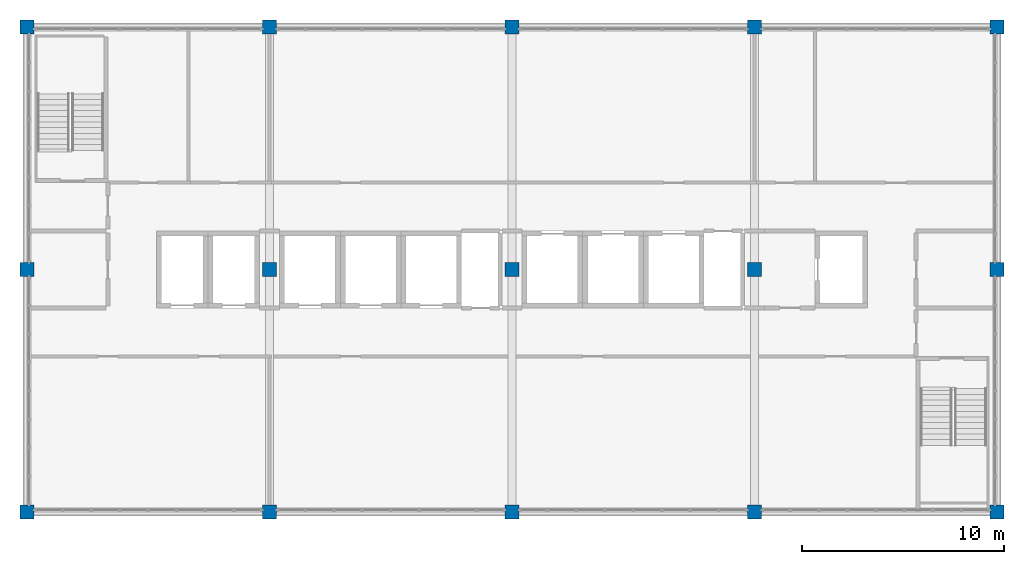
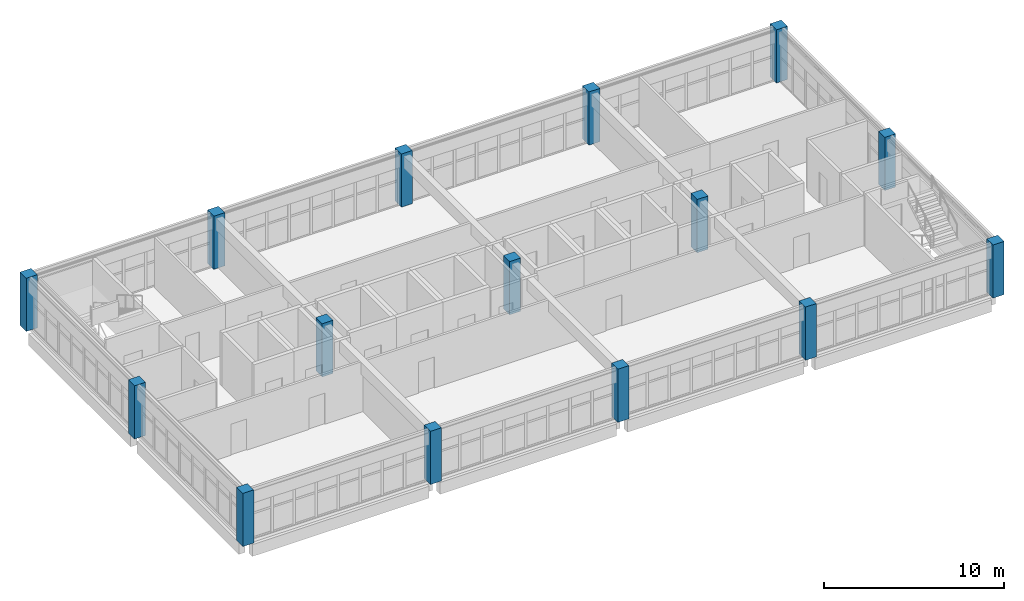
# One storey, part 1 of 16: 15 columns.
"""IFC4 building model written with IfcOpenShell, lengths in metres."""

import ifcopenshell
import ifcopenshell.guid

model = None  # the IFC model being written
_history = None  # IfcOwnerHistory: only IFC2X3 demands one
_inside = {}  # id of a spatial element -> (the spatial element, [elements in it])
_under = {}  # id of a project, library or spatial element -> (it, [spatial elements below it])
_declared = {}  # id of a project -> (the project, [libraries it declares])
_typed = {}  # id of a type object -> (the type object, [elements of that type])
_made_of = {}  # id of a material, layer set ... -> (it, [elements and type objects made of it])


def new_model(schema):
    """Start an empty IFC model of exactly this schema.

    Asked for "IFC4X3", IfcOpenShell would pick the latest addendum, in which some entities
    have other attributes; the version numbers below select the first issue.
    IFC2X3 requires an IfcOwnerHistory on every rooted entity: one is made here for all.
    """
    global model, _history
    if schema == "IFC4X3":
        model = ifcopenshell.file(schema_version=(4, 3, 0, 0))
    else:
        model = ifcopenshell.file(schema=schema)
    _inside.clear()
    _under.clear()
    _declared.clear()
    _typed.clear()
    _made_of.clear()
    _history = None
    if model.schema == "IFC2X3":
        org = make("IfcOrganization", Name="unknown")
        user = make(
            "IfcPersonAndOrganization",
            ThePerson=make("IfcPerson", FamilyName="unknown"),
            TheOrganization=org,
        )
        app = make(
            "IfcApplication",
            ApplicationDeveloper=org,
            Version="unknown",
            ApplicationFullName="unknown",
            ApplicationIdentifier="unknown",
        )
        _history = make(
            "IfcOwnerHistory",
            OwningUser=user,
            OwningApplication=app,
            ChangeAction="ADDED",
            CreationDate=0,
        )
    return model


def make(cls, **values):
    """One entity of the class cls with the attributes given. An attribute that is None is left unset."""
    return model.create_entity(
        cls, **{name: value for name, value in values.items() if value is not None}
    )


def rooted(cls, **values):
    """An entity with a GlobalId (a new one), such as an element, a storey or a relation."""
    return make(cls, GlobalId=ifcopenshell.guid.new(), OwnerHistory=_history, **values)


def si_unit(unit_type, name, prefix=None):
    """IfcSIUnit, for example si_unit("LENGTHUNIT", "METRE", prefix="MILLI")."""
    return make("IfcSIUnit", UnitType=unit_type, Prefix=prefix, Name=name)


def assignment(units):
    """IfcUnitAssignment: the units of a project."""
    return None if units is None else make("IfcUnitAssignment", Units=units)


def point(xyz):
    """IfcCartesianPoint."""
    return None if xyz is None else make("IfcCartesianPoint", Coordinates=xyz)


def direction(xyz):
    """IfcDirection."""
    return None if xyz is None else make("IfcDirection", DirectionRatios=xyz)


def frame(location, z_axis=None, x_axis=None):
    """IfcAxis2Placement3D, a coordinate frame: its origin and axes. An axis left out is left unset."""
    return make(
        "IfcAxis2Placement3D",
        Location=point(location),
        Axis=direction(z_axis),
        RefDirection=direction(x_axis),
    )


def frame_2d(location, x_axis=None):
    """IfcAxis2Placement2D, a coordinate frame in the plane: its origin and x axis."""
    return make(
        "IfcAxis2Placement2D", Location=point(location), RefDirection=direction(x_axis)
    )


def origin():
    """The frame at (0, 0, 0) with its axes left unset."""
    return frame((0.0, 0.0, 0.0))


def origin_2d():
    """The frame at (0, 0) in the plane with its x axis left unset."""
    return frame_2d((0.0, 0.0))


def place(relative_to, where):
    """IfcLocalPlacement: puts the frame where relative to a parent placement (None: the world)."""
    return make(
        "IfcLocalPlacement", PlacementRelTo=relative_to, RelativePlacement=where
    )


def context(
    kind, dimensions, precision=None, world=None, true_north=None, identifier=None
):
    """IfcGeometricRepresentationContext, for example the 3D "Model" context."""
    return make(
        "IfcGeometricRepresentationContext",
        ContextIdentifier=identifier,
        ContextType=kind,
        CoordinateSpaceDimension=dimensions,
        Precision=precision,
        WorldCoordinateSystem=world,
        TrueNorth=true_north,
    )


def subcontext(parent, identifier, kind, view, scale=None):
    """IfcGeometricRepresentationSubContext, for example "Body" below "Model"."""
    return make(
        "IfcGeometricRepresentationSubContext",
        ContextIdentifier=identifier,
        ContextType=kind,
        ParentContext=parent,
        TargetScale=scale,
        TargetView=view,
    )


def project(units=None, contexts=None):
    """IfcProject with its units and contexts."""
    return rooted(
        "IfcProject",
        Name="project",
        RepresentationContexts=contexts,
        UnitsInContext=assignment(units),
    )


def spatial(cls, under=None, at=None, **own):
    """A site, building, storey or space (cls), placed at a placement, below another one or the project."""
    s = rooted(cls, ObjectPlacement=at, **own)
    if under is not None:
        _under.setdefault(under.id(), (under, []))[1].append(s)
    return s


def profile(cls, at=None, kind="AREA", **sizes):
    """A parametric profile (cls). Its sizes go by their IFC names, for example OverallWidth=200.0."""
    return make(cls, ProfileType=kind, Position=at, **sizes)


def rectangle(**sizes):
    """IfcRectangleProfileDef."""
    return profile("IfcRectangleProfileDef", **sizes)


def extrude(swept, where, along, depth):
    """IfcExtrudedAreaSolid: the profile swept, set in the frame where, extruded along a direction by depth."""
    return make(
        "IfcExtrudedAreaSolid",
        SweptArea=swept,
        Position=where,
        ExtrudedDirection=direction(along),
        Depth=depth,
    )


def shape(context_of_items, identifier, shape_type, items):
    """IfcShapeRepresentation: the items that make up one representation, for example the "Body"."""
    return make(
        "IfcShapeRepresentation",
        ContextOfItems=context_of_items,
        RepresentationIdentifier=identifier,
        RepresentationType=shape_type,
        Items=items,
    )


def material(Name=None, Category=None):
    """IfcMaterial."""
    return make("IfcMaterial", Name=Name, Category=Category)


def material_profile(
    of_material, cross_section, Name=None, Category=None, Priority=None
):
    """IfcMaterialProfile: a cross section and its material."""
    return make(
        "IfcMaterialProfile",
        Name=Name,
        Material=of_material,
        Profile=cross_section,
        Priority=Priority,
        Category=Category,
    )


def profile_set(profiles, Name=None, composite=None):
    """IfcMaterialProfileSet."""
    return make(
        "IfcMaterialProfileSet",
        Name=Name,
        MaterialProfiles=profiles,
        CompositeProfile=composite,
    )


def made_of(thing, what):
    """Note that an element or type object is made of a material, layer set ...; save() writes the relation."""
    if what is not None:
        _made_of.setdefault(what.id(), (what, []))[1].append(thing)
    return thing


def type_object(cls, material=None, **own):
    """A type object (cls), such as IfcWallType, which elements share."""
    return made_of(rooted(cls, **own), material)


def element(
    cls,
    number,
    at=None,
    inside=None,
    cuts=None,
    type_object=None,
    material=None,
    context=None,
    identifier="Body",
    shape_type=None,
    held_by="IfcProductDefinitionShape",
    body=None,
    shapes=None,
    **own,
):
    """One element of the class cls, such as IfcWall. Its Tag is "e" and its number.

    at: its placement. inside: the storey or other place that contains it. cuts: it is an
    opening in that element (IfcRelVoidsElement). A single representation is given by context,
    identifier, shape_type and body (its items); several are given by shapes. held_by: the class
    of the entity that holds the representations. save() writes the other relations.
    """
    e = rooted(cls, Tag="e%d" % number, ObjectPlacement=at, **own)
    if body is not None:
        shapes = [shape(context, identifier, shape_type, body)]
    if shapes is not None:
        e.Representation = make(held_by, Representations=shapes)
    if inside is not None:
        _inside.setdefault(inside.id(), (inside, []))[1].append(e)
    if cuts is not None:
        rooted(
            "IfcRelVoidsElement", RelatingBuildingElement=cuts, RelatedOpeningElement=e
        )
    if type_object is not None:
        _typed.setdefault(type_object.id(), (type_object, []))[1].append(e)
    return made_of(e, material)


def aggregate(whole, parts):
    """IfcRelAggregates: a whole, such as a stair, and the parts it consists of."""
    return rooted("IfcRelAggregates", RelatingObject=whole, RelatedObjects=parts)


def save(model, path):
    """Write the relations noted so far, then the file.

    IfcRelAggregates (storeys below a building ...), IfcRelContainedInSpatialStructure (elements
    in a storey), IfcRelDefinesByType, IfcRelAssociatesMaterial and IfcRelDeclares: one each for
    every whole, place, type object, material and project.
    """
    for whole, parts in _under.values():
        aggregate(whole, parts)
    for where, things in _inside.values():
        rooted(
            "IfcRelContainedInSpatialStructure",
            RelatedElements=things,
            RelatingStructure=where,
        )
    for kind, things in _typed.values():
        rooted("IfcRelDefinesByType", RelatedObjects=things, RelatingType=kind)
    for what, things in _made_of.values():
        rooted("IfcRelAssociatesMaterial", RelatedObjects=things, RelatingMaterial=what)
    for by, libraries in _declared.values():
        rooted("IfcRelDeclares", RelatingContext=by, RelatedDefinitions=libraries)
    model.write(path)


model = new_model("IFC4")

# Units and contexts
model_context = context("Model", 3, precision=1e-05, world=origin(), true_north=direction((0.0, 1.0)))
body_context = subcontext(model_context, "Body", "Model", "MODEL_VIEW")
ifc_project = project(units=[si_unit("LENGTHUNIT", "METRE"), si_unit("AREAUNIT", "SQUARE_METRE"), si_unit("VOLUMEUNIT", "CUBIC_METRE"), si_unit("PLANEANGLEUNIT", "RADIAN"), si_unit("MASSUNIT", "GRAM", prefix="KILO")], contexts=[model_context])

# Site, building, storey
site_placement = place(None, origin())
site = spatial("IfcSite", under=ifc_project, at=site_placement, CompositionType="ELEMENT")
building_placement = place(site_placement, origin())
building = spatial("IfcBuilding", under=site, at=building_placement, Name="Lilac Gate Convention Centre", CompositionType="ELEMENT")
storey_placement = place(building_placement, frame((0.0, 0.0, 67.800048828125)))
storey = spatial("IfcBuildingStorey", under=building, at=storey_placement, Name="L17", CompositionType="ELEMENT", Elevation=67.800048828125)

# Columns
ifc_material = material(Name="Concrete C40", Category="concrete")
ifc_material_profile = material_profile(ifc_material, rectangle(XDim=0.699951171875, YDim=0.699951171875, at=origin_2d()), Name="RC 700x700")
ifc_profile_set = profile_set([ifc_material_profile], Name="Concrete C40")
column_type = type_object("IfcColumnType", Name="RC tower column 700x700 C40", PredefinedType="COLUMN", material=ifc_profile_set)
for number, where, z_axis, x_axis, name in (
    (1, (42.0, 222.0, 0.0), (0.0, 0.0, 1.0), (1.0, 0.0, 0.0), "C7 L17 at 4/S"),
    (2, (42.0, 234.0, 0.0), (0.0, 0.0, 1.0), (1.0, 0.0, 0.0), "C7 L17 at 4/T"),
    (3, (42.0, 246.0, 0.0), (0.0, 0.0, 1.0), (1.0, 0.0, 0.0), "C7 L17 at 4/U"),
    (4, (54.0, 222.0, 0.0), (0.0, 0.0, 1.0), (1.0, 0.0, 0.0), "C7 L17 at 5/S"),
    (5, (54.0, 234.0, 0.0), (0.0, 0.0, 1.0), (1.0, 0.0, 0.0), "C7 L17 at 5/T"),
    (6, (54.0, 246.0, 0.0), (0.0, 0.0, 1.0), (1.0, 0.0, 0.0), "C7 L17 at 5/U"),
    (7, (66.0, 222.0, 0.0), (0.0, 0.0, 1.0), (1.0, 0.0, 0.0), "C7 L17 at 6/S"),
    (8, (66.0, 234.0, 0.0), (0.0, 0.0, 1.0), (1.0, 0.0, 0.0), "C7 L17 at 6/T"),
    (9, (66.0, 246.0, 0.0), (0.0, 0.0, 1.0), (1.0, 0.0, 0.0), "C7 L17 at 6/U"),
    (10, (78.0, 222.0, 0.0), (0.0, 0.0, 1.0), (1.0, 0.0, 0.0), "C7 L17 at 7/S"),
    (11, (78.0, 234.0, 0.0), (0.0, 0.0, 1.0), (1.0, 0.0, 0.0), "C7 L17 at 7/T"),
    (12, (78.0, 246.0, 0.0), (0.0, 0.0, 1.0), (1.0, 0.0, 0.0), "C7 L17 at 7/U"),
    (13, (90.0, 222.0, 0.0), (0.0, 0.0, 1.0), (1.0, 0.0, 0.0), "C7 L17 at 8/S"),
    (14, (90.0, 234.0, 0.0), (0.0, 0.0, 1.0), (1.0, 0.0, 0.0), "C7 L17 at 8/T"),
    (15, (90.0, 246.0, 0.0), (0.0, 0.0, 1.0), (1.0, 0.0, 0.0), "C7 L17 at 8/U"),
):
    element("IfcColumn", number, at=place(storey_placement, frame(where, z_axis=z_axis, x_axis=x_axis)), inside=storey, type_object=column_type, Name=name, PredefinedType="COLUMN", context=body_context, shape_type="SweptSolid", body=[
        extrude(rectangle(XDim=0.699951171875, YDim=0.699951171875, at=origin_2d()), origin(), (0.0, 0.0, 1.0), 3.599853515625),
    ])

save(model, "model.ifc")
